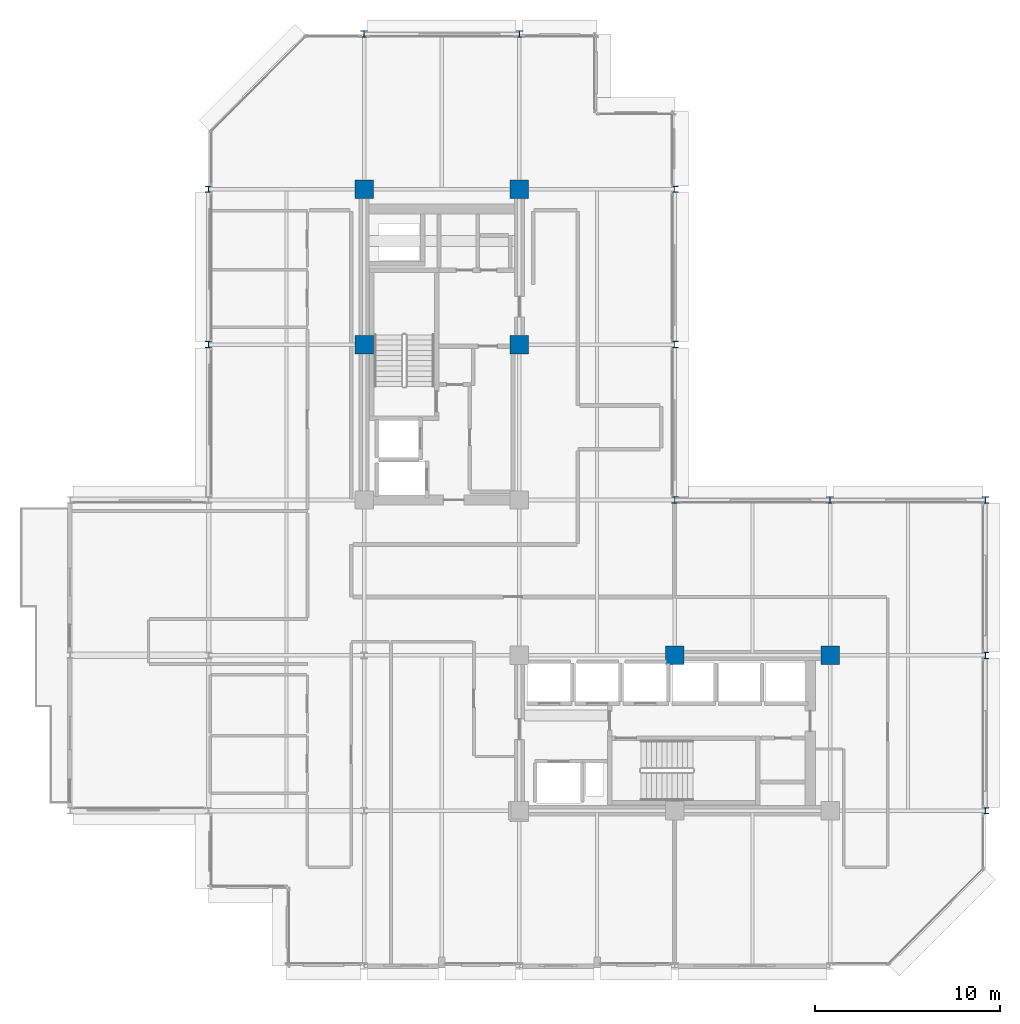
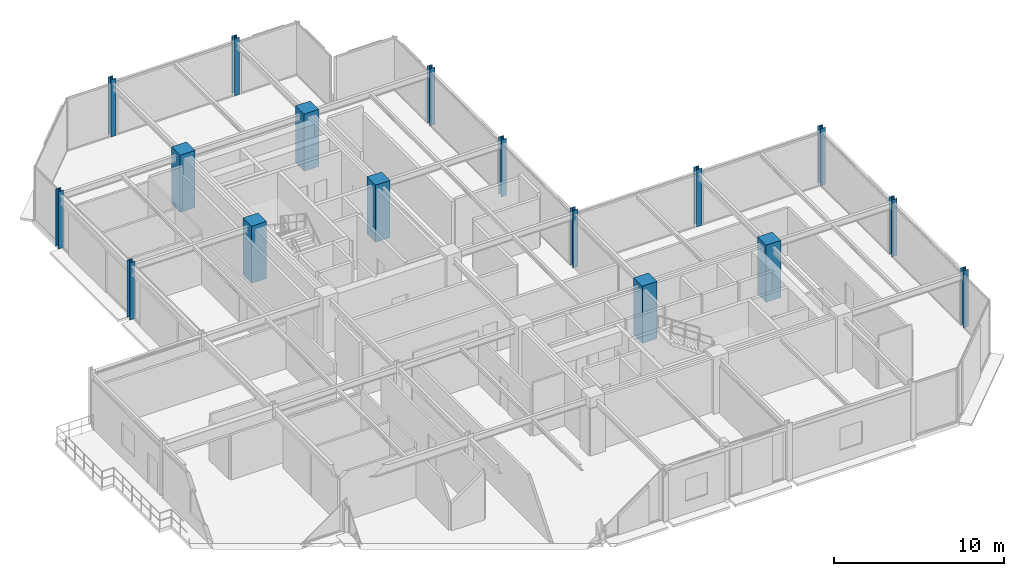
# One storey, part 2 of 29: 17 columns.
"""IFC4 building model written with IfcOpenShell, lengths in metres."""

from ifc_helpers import new_model, si_unit, direction, frame, origin, origin_2d, place, context, subcontext, project, spatial, rectangle, i_section, extrude, material, material_profile, profile_set, type_object, element, save


model = new_model("IFC4")

# Units and contexts
model_context = context("Model", 3, precision=1e-05, world=origin(), true_north=direction((0.0, 1.0)))
body_context = subcontext(model_context, "Body", "Model", "MODEL_VIEW")
ifc_project = project(units=[si_unit("LENGTHUNIT", "METRE"), si_unit("AREAUNIT", "SQUARE_METRE"), si_unit("VOLUMEUNIT", "CUBIC_METRE"), si_unit("PLANEANGLEUNIT", "RADIAN"), si_unit("MASSUNIT", "GRAM", prefix="KILO")], contexts=[model_context])

# Site, building, storey
site_placement = place(None, origin())
site = spatial("IfcSite", under=ifc_project, at=site_placement, CompositionType="ELEMENT")
building_placement = place(site_placement, origin())
building = spatial("IfcBuilding", under=site, at=building_placement, Name="Nerrivon Quay Data Exchange", CompositionType="ELEMENT")
storey_placement = place(building_placement, frame((0.0, 0.0, 191.89990234375)))
storey = spatial("IfcBuildingStorey", under=building, at=storey_placement, Name="L45", CompositionType="ELEMENT", Elevation=191.89990234375)

# Columns
ifc_material_1 = material(Name="Concrete S65 (65 MPa)", Category="concrete")
ifc_material_profile_1 = material_profile(ifc_material_1, rectangle(XDim=1.0, YDim=1.0, at=origin_2d()), Name="RC-COL-1000x1000")
ifc_profile_set_1 = profile_set([ifc_material_profile_1], Name="Concrete S65 (65 MPa)")
column_type_1 = type_object("IfcColumnType", Name="COL-C4-1000", PredefinedType="COLUMN", material=ifc_profile_set_1)
for number, where, z_axis, x_axis, name in (
    (1, (8.39990234375, 33.60009765625, 0.0), (0.0, 0.0, 1.0), (1.0, 0.0, 0.0), "L45 Column (8.4,33.6)"),
    (2, (8.39990234375, 42.0, 0.0), (0.0, 0.0, 1.0), (1.0, 0.0, 0.0), "L45 Column (8.4,42.0)"),
    (3, (16.800048828125, 33.60009765625, 0.0), (0.0, 0.0, 1.0), (1.0, 0.0, 0.0), "L45 Column (16.8,33.6)"),
    (4, (16.800048828125, 42.0, 0.0), (0.0, 0.0, 1.0), (1.0, 0.0, 0.0), "L45 Column (16.8,42.0)"),
    (5, (25.199951171875, 16.800048828125, 0.0), (0.0, 0.0, 1.0), (1.0, 0.0, 0.0), "L45 Column (25.2,16.8)"),
    (6, (33.60009765625, 16.800048828125, 0.0), (0.0, 0.0, 1.0), (1.0, 0.0, 0.0), "L45 Column (33.6,16.8)"),
):
    element("IfcColumn", number, at=place(storey_placement, frame(where, z_axis=z_axis, x_axis=x_axis)), inside=storey, type_object=column_type_1, Name=name, PredefinedType="COLUMN", context=body_context, shape_type="SweptSolid", body=[
        extrude(rectangle(XDim=1.0, YDim=1.0, at=origin_2d()), origin(), (0.0, 0.0, 1.0), 4.10009765625),
    ])
ifc_material_2 = material(Name="Steel Grade 350", Category="steel")
ifc_material_profile_2 = material_profile(ifc_material_2, i_section(OverallWidth=0.35009765625, OverallDepth=0.35009765625, WebThickness=0.02001953125, FlangeThickness=0.031982421875, at=origin_2d()), Name="350WC230")
ifc_profile_set_2 = profile_set([ifc_material_profile_2], Name="Steel Grade 350")
column_type_2 = type_object("IfcColumnType", Name="COL-SC3-350WC", PredefinedType="COLUMN", material=ifc_profile_set_2)
for number, where, z_axis, x_axis, name in (
    (7, (0.0, 33.60009765625, 0.0), (0.0, 0.0, 1.0), (1.0, 0.0, 0.0), "L45 Column (0.0,33.6)"),
    (8, (0.0, 42.0, 0.0), (0.0, 0.0, 1.0), (1.0, 0.0, 0.0), "L45 Column (0.0,42.0)"),
    (9, (8.39990234375, 50.39990234375, 0.0), (0.0, 0.0, 1.0), (1.0, 0.0, 0.0), "L45 Column (8.4,50.4)"),
    (10, (16.800048828125, 50.39990234375, 0.0), (0.0, 0.0, 1.0), (1.0, 0.0, 0.0), "L45 Column (16.8,50.4)"),
    (11, (25.199951171875, 25.199951171875, 0.0), (0.0, 0.0, 1.0), (1.0, 0.0, 0.0), "L45 Column (25.2,25.2)"),
    (12, (25.199951171875, 33.60009765625, 0.0), (0.0, 0.0, 1.0), (1.0, 0.0, 0.0), "L45 Column (25.2,33.6)"),
    (13, (25.199951171875, 42.0, 0.0), (0.0, 0.0, 1.0), (1.0, 0.0, 0.0), "L45 Column (25.2,42.0)"),
    (14, (33.60009765625, 25.199951171875, 0.0), (0.0, 0.0, 1.0), (1.0, 0.0, 0.0), "L45 Column (33.6,25.2)"),
    (15, (42.0, 8.39990234375, 0.0), (0.0, 0.0, 1.0), (1.0, 0.0, 0.0), "L45 Column (42.0,8.4)"),
    (16, (42.0, 16.800048828125, 0.0), (0.0, 0.0, 1.0), (1.0, 0.0, 0.0), "L45 Column (42.0,16.8)"),
    (17, (42.0, 25.199951171875, 0.0), (0.0, 0.0, 1.0), (1.0, 0.0, 0.0), "L45 Column (42.0,25.2)"),
):
    element("IfcColumn", number, at=place(storey_placement, frame(where, z_axis=z_axis, x_axis=x_axis)), inside=storey, type_object=column_type_2, Name=name, PredefinedType="COLUMN", context=body_context, shape_type="SweptSolid", body=[
        extrude(i_section(OverallWidth=0.35009765625, OverallDepth=0.35009765625, WebThickness=0.02001953125, FlangeThickness=0.031982421875, at=origin_2d()), origin(), (0.0, 0.0, 1.0), 4.10009765625),
    ])

save(model, "model.ifc")
